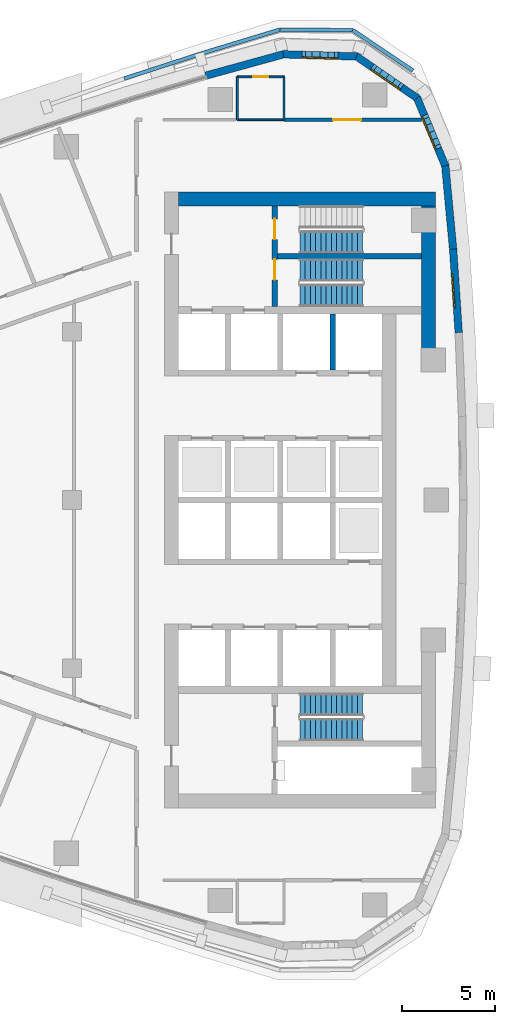
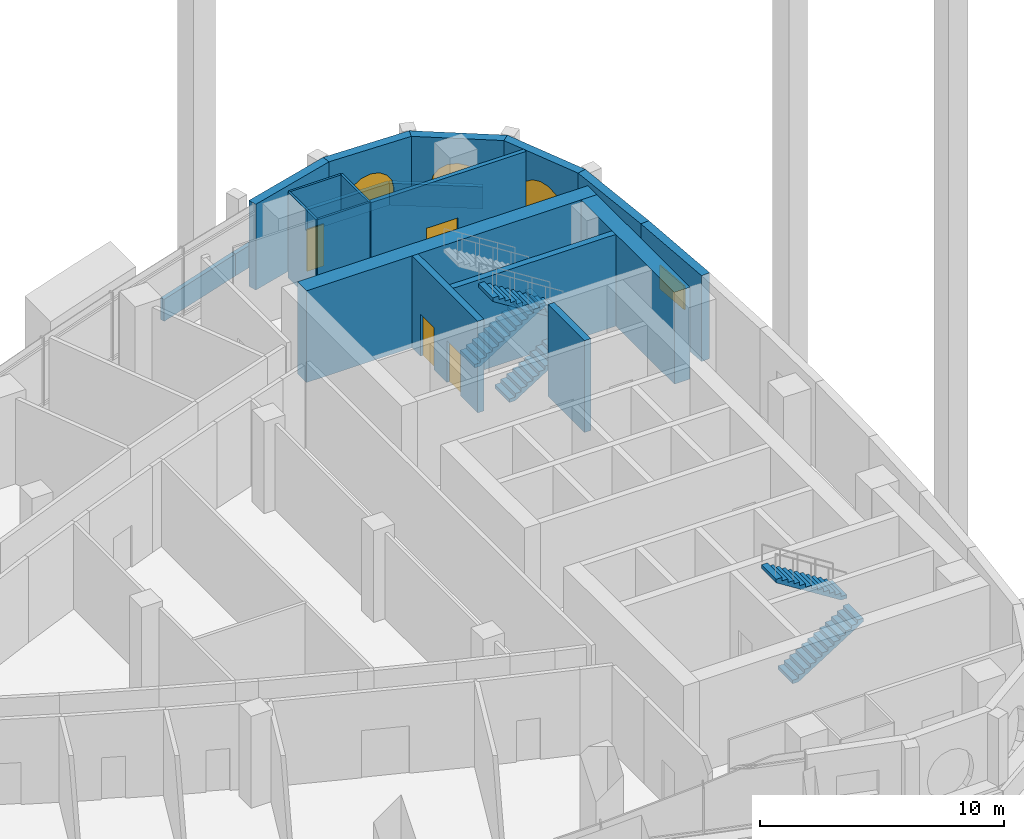
# One storey, part 11 of 19: 20 walls, 5 stair flights, 4 doors, 4 windows, 8 openings, 3 elements without a shape of their own.
"""IFC4 building model written with IfcOpenShell, lengths in metres."""

from ifc_helpers import new_model, si_unit, direction, frame, frame_2d, origin, place, context, subcontext, project, spatial, polyline, rectangle, outline, extrude, material, layer, layer_set, type_object, element, fill, aggregate, save


model = new_model("IFC4")

# Units and contexts
model_context = context("Model", 3, precision=1e-05, world=origin(), true_north=direction((0.0, 1.0)))
body_context = subcontext(model_context, "Body", "Model", "MODEL_VIEW")
ifc_project = project(units=[si_unit("LENGTHUNIT", "METRE"), si_unit("AREAUNIT", "SQUARE_METRE"), si_unit("VOLUMEUNIT", "CUBIC_METRE"), si_unit("PLANEANGLEUNIT", "RADIAN"), si_unit("MASSUNIT", "GRAM", prefix="KILO")], contexts=[model_context])

# Site, building, storey
site_placement = place(None, origin())
site = spatial("IfcSite", under=ifc_project, at=site_placement, CompositionType="ELEMENT")
building_placement = place(site_placement, origin())
building = spatial("IfcBuilding", under=site, at=building_placement, Name="Ostrand Prow Hotel Tower", CompositionType="ELEMENT")
storey_placement = place(building_placement, frame((0.0, 0.0, 170.89990234375)))
storey = spatial("IfcBuildingStorey", under=building, at=storey_placement, Name="L42", CompositionType="ELEMENT", Elevation=170.89990234375)

# Wall
ifc_material_1 = material(Name="Concrete C60/75", Category="concrete")
ifc_layer_1 = layer(ifc_material_1, 0.300048828125)
ifc_layer_set_1 = layer_set([ifc_layer_1], Name="Concrete C60/75")
wall_type_1 = type_object("IfcWallType", Name="Core wall 300 C60/75", PredefinedType="SHEAR", material=ifc_layer_set_1)
wall_1_placement = place(storey_placement, frame((58.949951171875, 6.949951171875, 0.0), z_axis=(0.0, 0.0, 1.0), x_axis=(0.0, 1.0, 0.0)))
element("IfcWall", 1, at=wall_1_placement, inside=storey, type_object=wall_type_1, Name="Core wall PW-R3-NA", PredefinedType="SHEAR", context=body_context, shape_type="SweptSolid", body=[
    extrude(rectangle(XDim=3.0, YDim=0.300048828125, at=frame_2d((1.5, 0.0))), origin(), (0.0, 0.0, 1.0), 4.60009765625),
])

# Wall, openings, doors
wall_2_placement = place(storey_placement, frame((55.85009765625, 10.35009765625, 0.0), z_axis=(0.0, 0.0, 1.0), x_axis=(0.0, 1.0, 0.0)))
wall_2 = element("IfcWall", 2, at=wall_2_placement, inside=storey, type_object=wall_type_1, Name="Core wall PW-VN", PredefinedType="SHEAR", context=body_context, shape_type="SweptSolid", body=[
    extrude(rectangle(XDim=5.39990234375, YDim=0.300048828125, at=frame_2d((2.699951171875, 0.0))), origin(), (0.0, 0.0, 1.0), 4.60009765625),
])
opening_1_placement = place(wall_2_placement, frame((1.429931640625, 0.0, 0.0)))
opening_1 = element("IfcOpeningElement", 3, at=opening_1_placement, cuts=wall_2, Name="Opening FD1", PredefinedType="OPENING", context=body_context, shape_type="SweptSolid", body=[
    extrude(rectangle(XDim=1.10009765625, YDim=2.10009765625, at=frame_2d((0.550048828125, 1.050048828125))), frame((0.0, 0.159912109375, 0.0), z_axis=(0.0, -1.0, 0.0), x_axis=(1.0, 0.0, 0.0)), (0.0, 0.0, 1.0), 0.320068359375),
])
opening_2_placement = place(wall_2_placement, frame((3.60009765625, 0.0, 0.0)))
opening_2 = element("IfcOpeningElement", 4, at=opening_2_placement, cuts=wall_2, Name="Opening FD1", PredefinedType="OPENING", context=body_context, shape_type="SweptSolid", body=[
    extrude(rectangle(XDim=1.10009765625, YDim=2.10009765625, at=frame_2d((0.550048828125, 1.050048828125))), frame((0.0, 0.159912109375, 0.0), z_axis=(0.0, -1.0, 0.0), x_axis=(1.0, 0.0, 0.0)), (0.0, 0.0, 1.0), 0.320068359375),
])
ifc_material_2 = material(Name="Steel fire door", Category="steel")
door_type_1 = type_object("IfcDoorType", Name="Fire door 1100 EI120", OperationType="SINGLE_SWING_RIGHT", PredefinedType="DOOR", material=ifc_material_2)
door_1_placement = place(opening_1_placement, origin())
door_1 = element("IfcDoor", 5, at=door_1_placement, inside=storey, type_object=door_type_1, Name="FIRE DOOR", OperationType="SINGLE_SWING_RIGHT", OverallHeight=2.10009765625, OverallWidth=1.10009765625, PredefinedType="DOOR", context=body_context, shape_type="SweptSolid", body=[
    extrude(rectangle(XDim=1.10009765625, YDim=2.10009765625, at=frame_2d((0.550048828125, 1.050048828125))), frame((0.0, 0.02490234375, 0.0), z_axis=(0.0, -1.0, 0.0), x_axis=(1.0, 0.0, 0.0)), (0.0, 0.0, 1.0), 0.050048828125),
])
fill(opening_1, door_1)
door_2_placement = place(opening_2_placement, origin())
door_2 = element("IfcDoor", 6, at=door_2_placement, inside=storey, type_object=door_type_1, Name="FIRE DOOR", OperationType="SINGLE_SWING_RIGHT", OverallHeight=2.10009765625, OverallWidth=1.10009765625, PredefinedType="DOOR", context=body_context, shape_type="SweptSolid", body=[
    extrude(rectangle(XDim=1.10009765625, YDim=2.10009765625, at=frame_2d((0.550048828125, 1.050048828125))), frame((0.0, 0.02490234375, 0.0), z_axis=(0.0, -1.0, 0.0), x_axis=(1.0, 0.0, 0.0)), (0.0, 0.0, 1.0), 0.050048828125),
])
fill(opening_2, door_2)

# Walls
wall_3_placement = place(storey_placement, frame((56.0, 13.050048828125, 0.0), z_axis=(0.0, 0.0, 1.0), x_axis=(1.0, 0.0, 0.0)))
element("IfcWall", 7, at=wall_3_placement, inside=storey, type_object=wall_type_1, Name="Core wall PW-ST13", PredefinedType="SHEAR", context=body_context, shape_type="SweptSolid", body=[
    extrude(rectangle(XDim=7.719970703125, YDim=0.300048828125, at=frame_2d((3.85986328125, 0.0))), origin(), (0.0, 0.0, 1.0), 4.60009765625),
])
ifc_material_3 = material(Name="Concrete C60/75", Category="concrete")
ifc_layer_2 = layer(ifc_material_3, 0.75)
ifc_layer_set_2 = layer_set([ifc_layer_2], Name="Concrete C60/75")
wall_type_2 = type_object("IfcWallType", Name="Core wall 750 C60/75", PredefinedType="SHEAR", material=ifc_layer_set_2)
wall_4_placement = place(storey_placement, frame((50.699951171875, 16.125, 0.0), z_axis=(0.0, 0.0, 1.0), x_axis=(1.0, 0.0, 0.0)))
element("IfcWall", 8, at=wall_4_placement, inside=storey, type_object=wall_type_2, Name="Core wall CW-N", PredefinedType="SHEAR", context=body_context, shape_type="SweptSolid", body=[
    extrude(rectangle(XDim=13.77001953125, YDim=0.75, at=frame_2d((6.885009765625, 0.0))), origin(), (0.0, 0.0, 1.0), 4.60009765625),
])
wall_5_placement = place(storey_placement, frame((64.094970703125, 8.09912109375, 0.0), z_axis=(0.0, 0.0, 1.0), x_axis=(0.0, 1.0, 0.0)))
element("IfcWall", 9, at=wall_5_placement, inside=storey, type_object=wall_type_2, Name="Core wall CW-E-N", PredefinedType="SHEAR", context=body_context, shape_type="SweptSolid", body=[
    extrude(rectangle(XDim=7.65087890625, YDim=0.75, at=frame_2d((3.825439453125, 0.0))), origin(), (0.0, 0.0, 1.0), 4.60009765625),
])

# Wall, opening, door
ifc_material_4 = material(Name="Plasterboard partition")
ifc_layer_3 = layer(ifc_material_4, 0.10009765625)
ifc_layer_set_3 = layer_set([ifc_layer_3], Name="Plasterboard partition")
wall_type_3 = type_object("IfcWallType", Name="Partition 100 bathroom wall", PredefinedType="PARTITIONING", material=ifc_layer_set_3)
wall_6_placement = place(storey_placement, frame((53.85009765625, 22.64990234375, 0.0), z_axis=(0.0, 0.0, 1.0), x_axis=(1.0, 0.0, 0.0)))
wall_6 = element("IfcWall", 10, at=wall_6_placement, inside=storey, type_object=wall_type_3, Name="BATHROOM WALL", PredefinedType="PARTITIONING", context=body_context, shape_type="SweptSolid", body=[
    extrude(rectangle(XDim=2.5, YDim=0.10009765625, at=frame_2d((1.25, 0.0))), origin(), (0.0, 0.0, 1.0), 4.300048828125),
])
opening_3_placement = place(wall_6_placement, frame((0.85009765625, 0.0, 0.0)))
opening_3 = element("IfcOpeningElement", 11, at=opening_3_placement, cuts=wall_6, Name="Opening D2", PredefinedType="OPENING", context=body_context, shape_type="SweptSolid", body=[
    extrude(rectangle(XDim=0.800048828125, YDim=2.10009765625, at=frame_2d((0.39990234375, 1.050048828125))), frame((0.0, 0.06005859375, 0.0), z_axis=(0.0, -1.0, 0.0), x_axis=(1.0, 0.0, 0.0)), (0.0, 0.0, 1.0), 0.1201171875),
])
ifc_material_5 = material(Name="Timber door leaf", Category="wood")
door_type_2 = type_object("IfcDoorType", Name="Bathroom door 800", OperationType="SINGLE_SWING_LEFT", PredefinedType="DOOR", material=ifc_material_5)
door_3_placement = place(opening_3_placement, origin())
door_3 = element("IfcDoor", 12, at=door_3_placement, inside=storey, type_object=door_type_2, Name="DOOR", OperationType="SINGLE_SWING_LEFT", OverallHeight=2.10009765625, OverallWidth=0.800048828125, PredefinedType="DOOR", context=body_context, shape_type="SweptSolid", body=[
    extrude(rectangle(XDim=0.800048828125, YDim=2.10009765625, at=frame_2d((0.39990234375, 1.050048828125))), frame((0.0, 0.02490234375, 0.0), z_axis=(0.0, -1.0, 0.0), x_axis=(1.0, 0.0, 0.0)), (0.0, 0.0, 1.0), 0.050048828125),
])
fill(opening_3, door_3)

# Walls
for number, where, z_axis, x_axis, name in (
    (13, (56.35009765625, 22.64990234375, 0.0), (0.0, 0.0, 1.0), (0.0, -1.0, 0.0), "BATHROOM WALL"),
    (14, (53.85009765625, 20.35009765625, 0.0), (0.0, 0.0, 1.0), (0.0, 1.0, 0.0), "BATHROOM WALL"),
):
    element("IfcWall", number, at=place(storey_placement, frame(where, z_axis=z_axis, x_axis=x_axis)), inside=storey, type_object=wall_type_3, Name=name, PredefinedType="PARTITIONING", context=body_context, shape_type="SweptSolid", body=[
        extrude(rectangle(XDim=2.2998046875, YDim=0.10009765625, at=frame_2d((1.14990234375, 0.0))), origin(), (0.0, 0.0, 1.0), 4.300048828125),
    ])
wall_7_placement = place(storey_placement, frame((56.35009765625, 20.35498046875, 0.0), z_axis=(0.0, 0.0, 1.0), x_axis=(-1.0, 0.0, 0.0)))
element("IfcWall", 15, at=wall_7_placement, inside=storey, type_object=wall_type_3, Name="BATHROOM WALL", PredefinedType="PARTITIONING", context=body_context, shape_type="SweptSolid", body=[
    extrude(rectangle(XDim=2.5, YDim=0.10009765625, at=frame_2d((1.25, 0.0))), origin(), (0.0, 0.0, 1.0), 4.300048828125),
])

# Wall, opening, door
ifc_material_6 = material(Name="Plasterboard partition")
ifc_layer_4 = layer(ifc_material_6, 0.199951171875)
ifc_layer_set_4 = layer_set([ifc_layer_4], Name="Plasterboard partition")
wall_type_4 = type_object("IfcWallType", Name="Partition 200 corridor wall", PredefinedType="PARTITIONING", material=ifc_layer_set_4)
wall_8_placement = place(storey_placement, frame((63.70947265625, 20.35498046875, 0.0), z_axis=(0.0, 0.0, 1.0), x_axis=(-1.0, 0.0, 0.0)))
wall_8 = element("IfcWall", 16, at=wall_8_placement, inside=storey, type_object=wall_type_4, Name="CORRIDOR WALL", PredefinedType="PARTITIONING", context=body_context, shape_type="SweptSolid", body=[
    extrude(rectangle(XDim=7.3544921875, YDim=0.199951171875, at=frame_2d((3.67724609375, 0.0))), origin(), (0.0, 0.0, 1.0), 4.300048828125),
])
opening_4_placement = place(wall_8_placement, frame((3.230712890625, 0.0, 0.0)))
opening_4 = element("IfcOpeningElement", 17, at=opening_4_placement, cuts=wall_8, Name="Opening D15", PredefinedType="OPENING", context=body_context, shape_type="SweptSolid", body=[
    extrude(rectangle(XDim=1.5, YDim=2.10009765625, at=frame_2d((0.75, 1.050048828125))), frame((0.0, 0.10986328125, 0.0), z_axis=(0.0, -1.0, 0.0), x_axis=(1.0, 0.0, 0.0)), (0.0, 0.0, 1.0), 0.219970703125),
])
ifc_material_7 = material(Name="Timber door leaf", Category="wood")
door_type_3 = type_object("IfcDoorType", Name="Double door 1500", OperationType="DOUBLE_DOOR_SINGLE_SWING", PredefinedType="DOOR", material=ifc_material_7)
door_4_placement = place(opening_4_placement, origin())
door_4 = element("IfcDoor", 18, at=door_4_placement, inside=storey, type_object=door_type_3, Name="DOOR", OperationType="DOUBLE_DOOR_SINGLE_SWING", OverallHeight=2.10009765625, OverallWidth=1.5, PredefinedType="DOOR", context=body_context, shape_type="SweptSolid", body=[
    extrude(rectangle(XDim=1.5, YDim=2.10009765625, at=frame_2d((0.75, 1.050048828125))), frame((0.0, 0.02490234375, 0.0), z_axis=(0.0, -1.0, 0.0), x_axis=(1.0, 0.0, 0.0)), (0.0, 0.0, 1.0), 0.050048828125),
])
fill(opening_4, door_4)

# Walls
ifc_material_8 = material(Name="Precast concrete C40/50", Category="concrete")
ifc_layer_5 = layer(ifc_material_8, 0.199951171875)
ifc_layer_set_5 = layer_set([ifc_layer_5], Name="Precast concrete C40/50")
wall_type_5 = type_object("IfcWallType", Name="Roof parapet 200 mm precast concrete", PredefinedType="PARAPET", material=ifc_layer_set_5)
wall_9_placement = place(storey_placement, frame((63.244140625, 22.984130859375, 0.0), z_axis=(0.0, 0.0, 1.0), x_axis=(-0.829636063103, 0.55830457888, 0.0)))
element("IfcWall", 19, at=wall_9_placement, inside=storey, type_object=wall_type_5, Name="Roof parapet LPR0 1.15", PredefinedType="PARAPET", context=body_context, shape_type="SweptSolid", body=[
    extrude(rectangle(XDim=3.870849609375, YDim=0.199951171875, at=frame_2d((1.935546875, 0.0))), origin(), (0.0, 0.0, 1.0), 1.10009765625),
])
wall_10_placement = place(storey_placement, frame((60.03271484375, 25.145263671875, 0.0), z_axis=(0.0, 0.0, 1.0), x_axis=(-0.999969070997, 0.007864925278, 0.0)))
element("IfcWall", 20, at=wall_10_placement, inside=storey, type_object=wall_type_5, Name="Roof parapet LPR0 1.16", PredefinedType="PARAPET", context=body_context, shape_type="SweptSolid", body=[
    extrude(rectangle(XDim=3.9111328125, YDim=0.199951171875, at=frame_2d((1.95556640625, 0.0))), origin(), (0.0, 0.0, 1.0), 1.10009765625),
])
wall_11_placement = place(storey_placement, frame((56.12158203125, 25.176025390625, 0.0), z_axis=(0.0, 0.0, 1.0), x_axis=(-0.956960072786, -0.290219604942, 0.0)))
element("IfcWall", 21, at=wall_11_placement, inside=storey, type_object=wall_type_5, Name="Roof parapet LPR0 1.17", PredefinedType="PARAPET", context=body_context, shape_type="SweptSolid", body=[
    extrude(rectangle(XDim=4.342529296875, YDim=0.199951171875, at=frame_2d((2.17138671875, 0.0))), origin(), (0.0, 0.0, 1.0), 1.10009765625),
])
wall_12_placement = place(storey_placement, frame((51.966064453125, 23.915771484375, 0.0), z_axis=(0.0, 0.0, 1.0), x_axis=(-0.950927119202, -0.309414954335, 0.0)))
element("IfcWall", 22, at=wall_12_placement, inside=storey, type_object=wall_type_5, Name="Roof parapet LPR0 1.18", PredefinedType="PARAPET", context=body_context, shape_type="SweptSolid", body=[
    extrude(rectangle(XDim=4.380859375, YDim=0.199951171875, at=frame_2d((2.1904296875, 0.0))), origin(), (0.0, 0.0, 1.0), 1.10009765625),
])

# Wall, opening, window
ifc_material_9 = material(Name="Precast concrete C40/50", Category="concrete")
ifc_layer_6 = layer(ifc_material_9, 0.39990234375)
ifc_layer_set_6 = layer_set([ifc_layer_6], Name="Precast concrete C40/50")
wall_type_6 = type_object("IfcWallType", Name="Stone-faced precast wall 400 mm", PredefinedType="NOTDEFINED", material=ifc_layer_set_6)
wall_13_placement = place(storey_placement, frame((65.700439453125, 8.957763671875, 0.0), z_axis=(0.0, 0.0, 1.0), x_axis=(-0.066905935948, 0.997759287471, 0.0)))
wall_13 = element("IfcWall", 23, at=wall_13_placement, inside=storey, type_object=wall_type_6, Name="Stone-faced wall back 11", PredefinedType="NOTDEFINED", context=body_context, shape_type="SweptSolid", body=[
    extrude(outline(polyline([(-0.002685546875, -0.199951171875), (4.483642578125, -0.199951171875), (4.478271484375, 0.199951171875), (0.002685546875, 0.199951171875), (-0.002685546875, -0.199951171875)])), origin(), (0.0, 0.0, 1.0), 4.300048828125),
])
opening_5_placement = place(wall_13_placement, frame((1.34033203125, 0.0, 1.800048828125)))
opening_5 = element("IfcOpeningElement", 24, at=opening_5_placement, cuts=wall_13, Name="Opening WC1", PredefinedType="OPENING", context=body_context, shape_type="SweptSolid", body=[
    extrude(rectangle(XDim=1.800048828125, YDim=1.199951171875, at=frame_2d((0.89990234375, 0.60009765625))), frame((0.0, 0.2099609375, 0.0), z_axis=(0.0, -1.0, 0.0), x_axis=(1.0, 0.0, 0.0)), (0.0, 0.0, 1.0), 0.419921875),
])
ifc_material_10 = material(Name="Insulated glass in bronze frame", Category="glass")
window_type_1 = type_object("IfcWindowType", Name="Sky lobby clerestory window 1800x1200", PartitioningType="SINGLE_PANEL", PredefinedType="WINDOW", material=ifc_material_10)
window_1_placement = place(opening_5_placement, origin())
window_1 = element("IfcWindow", 25, at=window_1_placement, inside=storey, type_object=window_type_1, Name="Window back 11.1", OverallHeight=1.199951171875, OverallWidth=1.800048828125, PartitioningType="SINGLE_PANEL", PredefinedType="WINDOW", context=body_context, shape_type="SweptSolid", body=[
    extrude(rectangle(XDim=1.800048828125, YDim=1.199951171875, at=frame_2d((0.89990234375, 0.60009765625))), frame((0.0, 0.169921875, 0.0), z_axis=(0.0, -1.0, 0.0), x_axis=(1.0, 0.0, 0.0)), (0.0, 0.0, 1.0), 0.06005859375),
])
fill(opening_5, window_1)

# Wall
wall_14_placement = place(storey_placement, frame((65.400634765625, 13.4287109375, 0.0), z_axis=(0.0, 0.0, 1.0), x_axis=(-0.093605694738, 0.995609348044, 0.0)))
element("IfcWall", 26, at=wall_14_placement, inside=storey, type_object=wall_type_6, Name="Stone-faced wall back 12", PredefinedType="NOTDEFINED", context=body_context, shape_type="SweptSolid", body=[
    extrude(outline(polyline([(-0.002685546875, -0.199951171875), (4.51123046875, -0.199951171875), (4.45068359375, 0.199951171875), (0.002685546875, 0.199951171875), (-0.002685546875, -0.199951171875)])), origin(), (0.0, 0.0, 1.0), 4.300048828125),
])

# Wall, opening, window
wall_15_placement = place(storey_placement, frame((64.981201171875, 17.889892578125, 0.0), z_axis=(0.0, 0.0, 1.0), x_axis=(-0.383997619794, 0.923334082547, 0.0)))
wall_15 = element("IfcWall", 27, at=wall_15_placement, inside=storey, type_object=wall_type_6, Name="Stone-faced wall back 13", PredefinedType="NOTDEFINED", context=body_context, shape_type="SweptSolid", body=[
    extrude(outline(polyline([(-0.0302734375, -0.199951171875), (3.98828125, -0.199951171875), (3.8701171875, 0.199951171875), (0.0302734375, 0.199951171875), (-0.0302734375, -0.199951171875)])), origin(), (0.0, 0.0, 1.0), 4.300048828125),
])
opening_6_placement = place(wall_15_placement, frame((0.864501953125, 0.0, 0.60009765625)))
opening_6 = element("IfcOpeningElement", 28, at=opening_6_placement, cuts=wall_15, Name="Opening WP2", PredefinedType="OPENING", context=body_context, shape_type="SweptSolid", body=[
    extrude(outline(polyline([(0.0, 1.35009765625), (0.083740234375, 1.77099609375), (0.322265625, 2.127685546875), (0.678955078125, 2.3662109375), (1.10009765625, 2.449951171875), (1.52099609375, 2.3662109375), (1.877685546875, 2.127685546875), (2.1162109375, 1.77099609375), (2.199951171875, 1.35009765625), (2.199951171875, 1.10009765625), (2.1162109375, 0.678955078125), (1.877685546875, 0.322265625), (1.52099609375, 0.083740234375), (1.10009765625, 0.0), (0.678955078125, 0.083740234375), (0.322265625, 0.322265625), (0.083740234375, 0.678955078125), (0.0, 1.099853515625), (0.0, 1.35009765625)])), frame((0.0, 0.2099609375, 0.0), z_axis=(0.0, -1.0, 0.0), x_axis=(1.0, 0.0, 0.0)), (0.0, 0.0, 1.0), 0.419921875),
])
ifc_material_11 = material(Name="Insulated glass in bronze frame", Category="glass")
window_type_2 = type_object("IfcWindowType", Name="Round-ended prow lounge window 2200x2450", PartitioningType="SINGLE_PANEL", PredefinedType="WINDOW", material=ifc_material_11)
window_2_placement = place(opening_6_placement, origin())
window_2 = element("IfcWindow", 29, at=window_2_placement, inside=storey, type_object=window_type_2, Name="Window back 13.1", OverallHeight=2.449951171875, OverallWidth=2.199951171875, PartitioningType="SINGLE_PANEL", PredefinedType="WINDOW", context=body_context, shape_type="SweptSolid", body=[
    extrude(outline(polyline([(0.0, 1.35009765625), (0.083740234375, 1.77099609375), (0.322265625, 2.127685546875), (0.678955078125, 2.3662109375), (1.10009765625, 2.449951171875), (1.52099609375, 2.3662109375), (1.877685546875, 2.127685546875), (2.1162109375, 1.77099609375), (2.199951171875, 1.35009765625), (2.199951171875, 1.10009765625), (2.1162109375, 0.678955078125), (1.877685546875, 0.322265625), (1.52099609375, 0.083740234375), (1.10009765625, 0.0), (0.678955078125, 0.083740234375), (0.322265625, 0.322265625), (0.083740234375, 0.678955078125), (0.0, 1.099853515625), (0.0, 1.35009765625)])), frame((0.0, 0.169921875, 0.0), z_axis=(0.0, -1.0, 0.0), x_axis=(1.0, 0.0, 0.0)), (0.0, 0.0, 1.0), 0.06005859375),
])
fill(opening_6, window_2)

wall_16_placement = place(storey_placement, frame((63.472412109375, 21.517822265625, 0.0), z_axis=(0.0, 0.0, 1.0), x_axis=(-0.823806162588, 0.566871596115, 0.0)))
wall_16 = element("IfcWall", 30, at=wall_16_placement, inside=storey, type_object=wall_type_6, Name="Stone-faced wall back 14", PredefinedType="NOTDEFINED", context=body_context, shape_type="SweptSolid", body=[
    extrude(outline(polyline([(-0.05908203125, -0.199951171875), (3.98828125, -0.199951171875), (3.8701171875, 0.199951171875), (0.05908203125, 0.199951171875), (-0.05908203125, -0.199951171875)])), origin(), (0.0, 0.0, 1.0), 4.300048828125),
])
opening_7_placement = place(wall_16_placement, frame((0.864501953125, 0.0, 0.60009765625)))
opening_7 = element("IfcOpeningElement", 31, at=opening_7_placement, cuts=wall_16, Name="Opening WP2", PredefinedType="OPENING", context=body_context, shape_type="SweptSolid", body=[
    extrude(outline(polyline([(0.0, 1.35009765625), (0.083740234375, 1.77099609375), (0.322265625, 2.127685546875), (0.678955078125, 2.3662109375), (1.10009765625, 2.449951171875), (1.52099609375, 2.3662109375), (1.877685546875, 2.127685546875), (2.1162109375, 1.77099609375), (2.199951171875, 1.35009765625), (2.199951171875, 1.10009765625), (2.1162109375, 0.678955078125), (1.877685546875, 0.322265625), (1.52099609375, 0.083740234375), (1.10009765625, 0.0), (0.678955078125, 0.083740234375), (0.322265625, 0.322265625), (0.083740234375, 0.678955078125), (0.0, 1.099853515625), (0.0, 1.35009765625)])), frame((0.0, 0.2099609375, 0.0), z_axis=(0.0, -1.0, 0.0), x_axis=(1.0, 0.0, 0.0)), (0.0, 0.0, 1.0), 0.419921875),
])
window_3_placement = place(opening_7_placement, origin())
window_3 = element("IfcWindow", 32, at=window_3_placement, inside=storey, type_object=window_type_2, Name="Window back 14.1", OverallHeight=2.449951171875, OverallWidth=2.199951171875, PartitioningType="SINGLE_PANEL", PredefinedType="WINDOW", context=body_context, shape_type="SweptSolid", body=[
    extrude(outline(polyline([(0.0, 1.35009765625), (0.083740234375, 1.77099609375), (0.322265625, 2.127685546875), (0.678955078125, 2.3662109375), (1.10009765625, 2.449951171875), (1.52099609375, 2.3662109375), (1.877685546875, 2.127685546875), (2.1162109375, 1.77099609375), (2.199951171875, 1.35009765625), (2.199951171875, 1.10009765625), (2.1162109375, 0.678955078125), (1.877685546875, 0.322265625), (1.52099609375, 0.083740234375), (1.10009765625, 0.0), (0.678955078125, 0.083740234375), (0.322265625, 0.322265625), (0.083740234375, 0.678955078125), (0.0, 1.099853515625), (0.0, 1.35009765625)])), frame((0.0, 0.169921875, 0.0), z_axis=(0.0, -1.0, 0.0), x_axis=(1.0, 0.0, 0.0)), (0.0, 0.0, 1.0), 0.06005859375),
])
fill(opening_7, window_3)

wall_17_placement = place(storey_placement, frame((60.235595703125, 23.7451171875, 0.0), z_axis=(0.0, 0.0, 1.0), x_axis=(-0.999587920197, 0.028705222472, 0.0)))
wall_17 = element("IfcWall", 33, at=wall_17_placement, inside=storey, type_object=wall_type_6, Name="Stone-faced wall back 15", PredefinedType="NOTDEFINED", context=body_context, shape_type="SweptSolid", body=[
    extrude(outline(polyline([(-0.05908203125, -0.199951171875), (3.959228515625, -0.199951171875), (3.899658203125, 0.199951171875), (0.05908203125, 0.199951171875), (-0.05908203125, -0.199951171875)])), origin(), (0.0, 0.0, 1.0), 4.300048828125),
])
opening_8_placement = place(wall_17_placement, frame((0.864501953125, 0.0, 0.60009765625)))
opening_8 = element("IfcOpeningElement", 34, at=opening_8_placement, cuts=wall_17, Name="Opening WP2", PredefinedType="OPENING", context=body_context, shape_type="SweptSolid", body=[
    extrude(outline(polyline([(0.0, 1.35009765625), (0.083740234375, 1.77099609375), (0.322265625, 2.127685546875), (0.678955078125, 2.3662109375), (1.10009765625, 2.449951171875), (1.52099609375, 2.3662109375), (1.877685546875, 2.127685546875), (2.1162109375, 1.77099609375), (2.199951171875, 1.35009765625), (2.199951171875, 1.10009765625), (2.1162109375, 0.678955078125), (1.877685546875, 0.322265625), (1.52099609375, 0.083740234375), (1.10009765625, 0.0), (0.678955078125, 0.083740234375), (0.322265625, 0.322265625), (0.083740234375, 0.678955078125), (0.0, 1.099853515625), (0.0, 1.35009765625)])), frame((0.0, 0.2099609375, 0.0), z_axis=(0.0, -1.0, 0.0), x_axis=(1.0, 0.0, 0.0)), (0.0, 0.0, 1.0), 0.419921875),
])
window_4_placement = place(opening_8_placement, origin())
window_4 = element("IfcWindow", 35, at=window_4_placement, inside=storey, type_object=window_type_2, Name="Window back 15.1", OverallHeight=2.449951171875, OverallWidth=2.199951171875, PartitioningType="SINGLE_PANEL", PredefinedType="WINDOW", context=body_context, shape_type="SweptSolid", body=[
    extrude(outline(polyline([(0.0, 1.35009765625), (0.083740234375, 1.77099609375), (0.322265625, 2.127685546875), (0.678955078125, 2.3662109375), (1.10009765625, 2.449951171875), (1.52099609375, 2.3662109375), (1.877685546875, 2.127685546875), (2.1162109375, 1.77099609375), (2.199951171875, 1.35009765625), (2.199951171875, 1.10009765625), (2.1162109375, 0.678955078125), (1.877685546875, 0.322265625), (1.52099609375, 0.083740234375), (1.10009765625, 0.0), (0.678955078125, 0.083740234375), (0.322265625, 0.322265625), (0.083740234375, 0.678955078125), (0.0, 1.099853515625), (0.0, 1.35009765625)])), frame((0.0, 0.169921875, 0.0), z_axis=(0.0, -1.0, 0.0), x_axis=(1.0, 0.0, 0.0)), (0.0, 0.0, 1.0), 0.06005859375),
])
fill(opening_8, window_4)

# Wall
wall_18_placement = place(storey_placement, frame((56.307861328125, 23.85791015625, 0.0), z_axis=(0.0, 0.0, 1.0), x_axis=(-0.964205755089, -0.265155165617, 0.0)))
element("IfcWall", 36, at=wall_18_placement, inside=storey, type_object=wall_type_6, Name="Stone-faced wall back 16", PredefinedType="NOTDEFINED", context=body_context, shape_type="SweptSolid", body=[
    extrude(outline(polyline([(-0.02978515625, -0.199951171875), (4.30712890625, -0.199951171875), (4.30712890625, 0.199951171875), (0.02978515625, 0.199951171875), (-0.02978515625, -0.199951171875)])), origin(), (0.0, 0.0, 1.0), 4.300048828125),
])

# Stair, stair flights
ifc_material_12 = material(Name="Concrete C40/50", Category="concrete")
stair_type = type_object("IfcStairType", Name="Exit stair 1200 upper zone", PredefinedType="HALF_TURN_STAIR", material=ifc_material_12)
stair_1_placement = place(storey_placement, origin())
stair_1 = element("IfcStair", 37, at=stair_1_placement, inside=storey, type_object=stair_type, Name="L42 ST1C", PredefinedType="HALF_TURN_STAIR")
ifc_material_13 = material(Name="Concrete C40/50", Category="concrete")
stair_flight_type = type_object("IfcStairFlightType", Name="Stair flight 1200 concrete", PredefinedType="STRAIGHT", material=ifc_material_13)
stair_flight_1_placement = place(storey_placement, frame((57.199951171875, 10.949951171875, 0.0), z_axis=(0.0, 0.0, 1.0), x_axis=(1.0, 0.0, 0.0)))
stair_flight_1 = element("IfcStairFlight", 38, at=stair_flight_1_placement, type_object=stair_flight_type, Name="ST1C flight 1", NumberOfRisers=13, NumberOfTreads=12, PredefinedType="STRAIGHT", RiserHeight=0.176923077, TreadLength=0.28, context=body_context, shape_type="SweptSolid", body=[
    extrude(outline(polyline([(0.0, 0.0), (0.0, 0.177001953125), (0.280029296875, 0.177001953125), (0.280029296875, 0.353759765625), (0.56005859375, 0.353759765625), (0.56005859375, 0.53076171875), (0.840087890625, 0.53076171875), (0.840087890625, 0.707763671875), (1.1201171875, 0.707763671875), (1.1201171875, 0.884521484375), (1.39990234375, 0.884521484375), (1.39990234375, 1.0615234375), (1.679931640625, 1.0615234375), (1.679931640625, 1.238525390625), (1.9599609375, 1.238525390625), (1.9599609375, 1.415283203125), (2.239990234375, 1.415283203125), (2.239990234375, 1.59228515625), (2.52001953125, 1.59228515625), (2.52001953125, 1.769287109375), (2.800048828125, 1.769287109375), (2.800048828125, 1.946044921875), (3.080078125, 1.946044921875), (3.080078125, 2.123046875), (3.360107421875, 2.123046875), (3.360107421875, 2.300048828125), (3.360107421875, 1.94580078125), (0.280517578125, 0.0), (0.0, 0.0)])), frame((0.0, 0.60009765625, 0.0), z_axis=(0.0, -1.0, 0.0), x_axis=(1.0, 0.0, 0.0)), (0.0, 0.0, 1.0), 1.199951171875),
])
stair_flight_2_placement = place(storey_placement, frame((60.56005859375, 12.300048828125, 2.300048828125), z_axis=(0.0, 0.0, 1.0), x_axis=(-1.0, 0.0, 0.0)))
stair_flight_2 = element("IfcStairFlight", 39, at=stair_flight_2_placement, type_object=stair_flight_type, Name="ST1C flight 2", NumberOfRisers=13, NumberOfTreads=12, PredefinedType="STRAIGHT", RiserHeight=0.176923077, TreadLength=0.28, context=body_context, shape_type="SweptSolid", body=[
    extrude(outline(polyline([(0.0, 0.0), (0.0, 0.177001953125), (0.280029296875, 0.177001953125), (0.280029296875, 0.353759765625), (0.56005859375, 0.353759765625), (0.56005859375, 0.53076171875), (0.840087890625, 0.53076171875), (0.840087890625, 0.707763671875), (1.1201171875, 0.707763671875), (1.1201171875, 0.884521484375), (1.39990234375, 0.884521484375), (1.39990234375, 1.0615234375), (1.679931640625, 1.0615234375), (1.679931640625, 1.238525390625), (1.9599609375, 1.238525390625), (1.9599609375, 1.415283203125), (2.239990234375, 1.415283203125), (2.239990234375, 1.59228515625), (2.52001953125, 1.59228515625), (2.52001953125, 1.769287109375), (2.800048828125, 1.769287109375), (2.800048828125, 1.946044921875), (3.080078125, 1.946044921875), (3.080078125, 2.123046875), (3.360107421875, 2.123046875), (3.360107421875, 2.300048828125), (3.360107421875, 1.94580078125), (0.280517578125, 0.0), (0.0, 0.0)])), frame((0.0, 0.60009765625, 0.0), z_axis=(0.0, -1.0, 0.0), x_axis=(1.0, 0.0, 0.0)), (0.0, 0.0, 1.0), 1.199951171875),
])
aggregate(stair_1, [stair_flight_1, stair_flight_2])

# Stair, stair flight
stair_2_placement = place(storey_placement, origin())
stair_2 = element("IfcStair", 40, at=stair_2_placement, inside=storey, type_object=stair_type, Name="L42 ST3C", PredefinedType="HALF_TURN_STAIR")
stair_flight_3_placement = place(storey_placement, frame((57.199951171875, 13.800048828125, 0.0), z_axis=(0.0, 0.0, 1.0), x_axis=(1.0, 0.0, 0.0)))
stair_flight_3 = element("IfcStairFlight", 41, at=stair_flight_3_placement, type_object=stair_flight_type, Name="ST3C flight 1", NumberOfRisers=13, NumberOfTreads=12, PredefinedType="STRAIGHT", RiserHeight=0.176923077, TreadLength=0.28, context=body_context, shape_type="SweptSolid", body=[
    extrude(outline(polyline([(0.0, 0.0), (0.0, 0.177001953125), (0.280029296875, 0.177001953125), (0.280029296875, 0.353759765625), (0.56005859375, 0.353759765625), (0.56005859375, 0.53076171875), (0.840087890625, 0.53076171875), (0.840087890625, 0.707763671875), (1.1201171875, 0.707763671875), (1.1201171875, 0.884521484375), (1.39990234375, 0.884521484375), (1.39990234375, 1.0615234375), (1.679931640625, 1.0615234375), (1.679931640625, 1.238525390625), (1.9599609375, 1.238525390625), (1.9599609375, 1.415283203125), (2.239990234375, 1.415283203125), (2.239990234375, 1.59228515625), (2.52001953125, 1.59228515625), (2.52001953125, 1.769287109375), (2.800048828125, 1.769287109375), (2.800048828125, 1.946044921875), (3.080078125, 1.946044921875), (3.080078125, 2.123046875), (3.360107421875, 2.123046875), (3.360107421875, 2.300048828125), (3.360107421875, 1.94580078125), (0.280517578125, 0.0), (0.0, 0.0)])), frame((0.0, 0.60009765625, 0.0), z_axis=(0.0, -1.0, 0.0), x_axis=(1.0, 0.0, 0.0)), (0.0, 0.0, 1.0), 1.199951171875),
])
aggregate(stair_2, [stair_flight_3])

# Stair, stair flights
stair_3_placement = place(storey_placement, origin())
stair_3 = element("IfcStair", 42, at=stair_3_placement, inside=storey, type_object=stair_type, Name="L42 ST2C", PredefinedType="HALF_TURN_STAIR")
stair_flight_4_placement = place(storey_placement, frame((57.199951171875, -12.300048828125, 0.0), z_axis=(0.0, 0.0, 1.0), x_axis=(1.0, 0.0, 0.0)))
stair_flight_4 = element("IfcStairFlight", 43, at=stair_flight_4_placement, type_object=stair_flight_type, Name="ST2C flight 1", NumberOfRisers=13, NumberOfTreads=12, PredefinedType="STRAIGHT", RiserHeight=0.176923077, TreadLength=0.28, context=body_context, shape_type="SweptSolid", body=[
    extrude(outline(polyline([(0.0, 0.0), (0.0, 0.177001953125), (0.280029296875, 0.177001953125), (0.280029296875, 0.353759765625), (0.56005859375, 0.353759765625), (0.56005859375, 0.53076171875), (0.840087890625, 0.53076171875), (0.840087890625, 0.707763671875), (1.1201171875, 0.707763671875), (1.1201171875, 0.884521484375), (1.39990234375, 0.884521484375), (1.39990234375, 1.0615234375), (1.679931640625, 1.0615234375), (1.679931640625, 1.238525390625), (1.9599609375, 1.238525390625), (1.9599609375, 1.415283203125), (2.239990234375, 1.415283203125), (2.239990234375, 1.59228515625), (2.52001953125, 1.59228515625), (2.52001953125, 1.769287109375), (2.800048828125, 1.769287109375), (2.800048828125, 1.946044921875), (3.080078125, 1.946044921875), (3.080078125, 2.123046875), (3.360107421875, 2.123046875), (3.360107421875, 2.300048828125), (3.360107421875, 1.94580078125), (0.280517578125, 0.0), (0.0, 0.0)])), frame((0.0, 0.60009765625, 0.0), z_axis=(0.0, -1.0, 0.0), x_axis=(1.0, 0.0, 0.0)), (0.0, 0.0, 1.0), 1.199951171875),
])
stair_flight_5_placement = place(storey_placement, frame((60.56005859375, -10.949951171875, 2.300048828125), z_axis=(0.0, 0.0, 1.0), x_axis=(-1.0, 0.0, 0.0)))
stair_flight_5 = element("IfcStairFlight", 44, at=stair_flight_5_placement, type_object=stair_flight_type, Name="ST2C flight 2", NumberOfRisers=13, NumberOfTreads=12, PredefinedType="STRAIGHT", RiserHeight=0.176923077, TreadLength=0.28, context=body_context, shape_type="SweptSolid", body=[
    extrude(outline(polyline([(0.0, 0.0), (0.0, 0.177001953125), (0.280029296875, 0.177001953125), (0.280029296875, 0.353759765625), (0.56005859375, 0.353759765625), (0.56005859375, 0.53076171875), (0.840087890625, 0.53076171875), (0.840087890625, 0.707763671875), (1.1201171875, 0.707763671875), (1.1201171875, 0.884521484375), (1.39990234375, 0.884521484375), (1.39990234375, 1.0615234375), (1.679931640625, 1.0615234375), (1.679931640625, 1.238525390625), (1.9599609375, 1.238525390625), (1.9599609375, 1.415283203125), (2.239990234375, 1.415283203125), (2.239990234375, 1.59228515625), (2.52001953125, 1.59228515625), (2.52001953125, 1.769287109375), (2.800048828125, 1.769287109375), (2.800048828125, 1.946044921875), (3.080078125, 1.946044921875), (3.080078125, 2.123046875), (3.360107421875, 2.123046875), (3.360107421875, 2.300048828125), (3.360107421875, 1.94580078125), (0.280517578125, 0.0), (0.0, 0.0)])), frame((0.0, 0.60009765625, 0.0), z_axis=(0.0, -1.0, 0.0), x_axis=(1.0, 0.0, 0.0)), (0.0, 0.0, 1.0), 1.199951171875),
])
aggregate(stair_3, [stair_flight_4, stair_flight_5])

save(model, "model.ifc")
